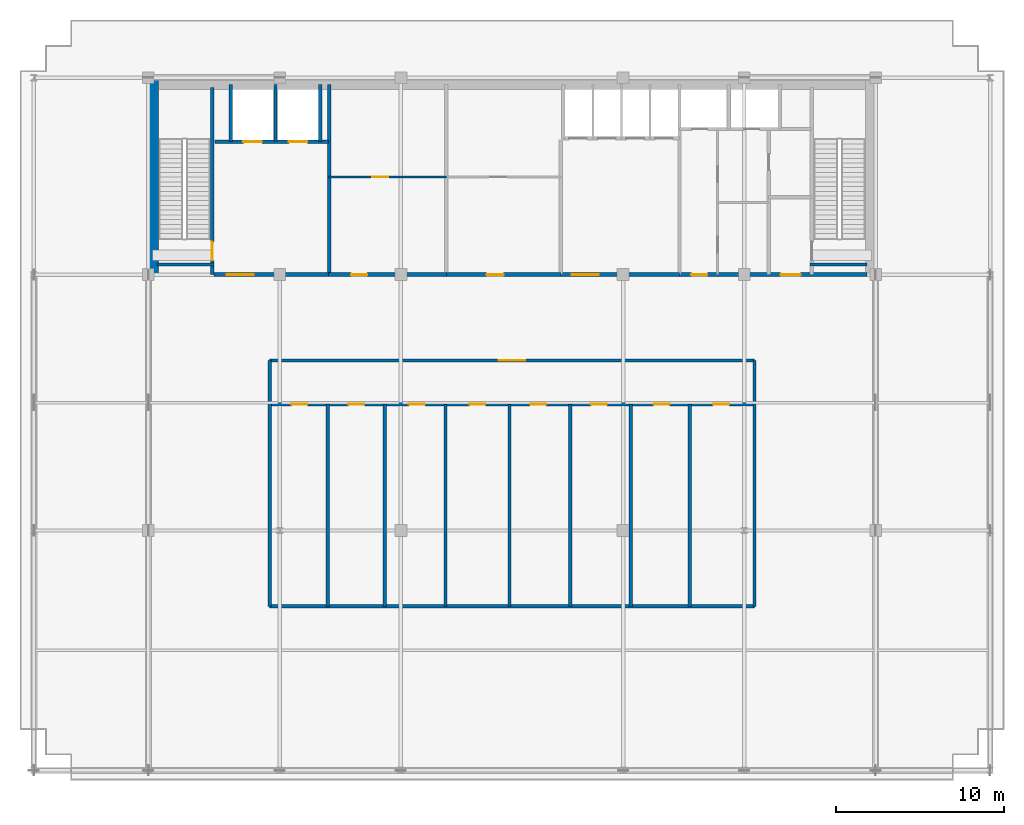
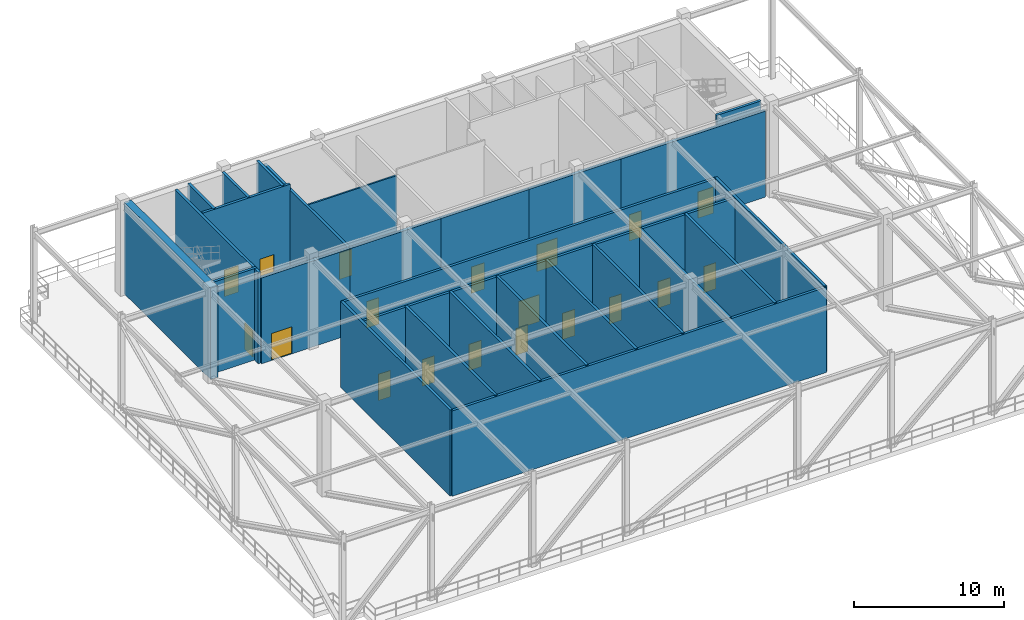
# One storey, part 10 of 15: 27 walls, 19 doors, 19 openings.
"""IFC4 building model written with IfcOpenShell, lengths in metres."""

import ifcopenshell
import ifcopenshell.guid

model = None  # the IFC model being written
_history = None  # IfcOwnerHistory: only IFC2X3 demands one
_inside = {}  # id of a spatial element -> (the spatial element, [elements in it])
_under = {}  # id of a project, library or spatial element -> (it, [spatial elements below it])
_declared = {}  # id of a project -> (the project, [libraries it declares])
_typed = {}  # id of a type object -> (the type object, [elements of that type])
_made_of = {}  # id of a material, layer set ... -> (it, [elements and type objects made of it])


def new_model(schema):
    """Start an empty IFC model of exactly this schema.

    Asked for "IFC4X3", IfcOpenShell would pick the latest addendum, in which some entities
    have other attributes; the version numbers below select the first issue.
    IFC2X3 requires an IfcOwnerHistory on every rooted entity: one is made here for all.
    """
    global model, _history
    if schema == "IFC4X3":
        model = ifcopenshell.file(schema_version=(4, 3, 0, 0))
    else:
        model = ifcopenshell.file(schema=schema)
    _inside.clear()
    _under.clear()
    _declared.clear()
    _typed.clear()
    _made_of.clear()
    _history = None
    if model.schema == "IFC2X3":
        org = make("IfcOrganization", Name="unknown")
        user = make(
            "IfcPersonAndOrganization",
            ThePerson=make("IfcPerson", FamilyName="unknown"),
            TheOrganization=org,
        )
        app = make(
            "IfcApplication",
            ApplicationDeveloper=org,
            Version="unknown",
            ApplicationFullName="unknown",
            ApplicationIdentifier="unknown",
        )
        _history = make(
            "IfcOwnerHistory",
            OwningUser=user,
            OwningApplication=app,
            ChangeAction="ADDED",
            CreationDate=0,
        )
    return model


def make(cls, **values):
    """One entity of the class cls with the attributes given. An attribute that is None is left unset."""
    return model.create_entity(
        cls, **{name: value for name, value in values.items() if value is not None}
    )


def rooted(cls, **values):
    """An entity with a GlobalId (a new one), such as an element, a storey or a relation."""
    return make(cls, GlobalId=ifcopenshell.guid.new(), OwnerHistory=_history, **values)


def si_unit(unit_type, name, prefix=None):
    """IfcSIUnit, for example si_unit("LENGTHUNIT", "METRE", prefix="MILLI")."""
    return make("IfcSIUnit", UnitType=unit_type, Prefix=prefix, Name=name)


def assignment(units):
    """IfcUnitAssignment: the units of a project."""
    return None if units is None else make("IfcUnitAssignment", Units=units)


def point(xyz):
    """IfcCartesianPoint."""
    return None if xyz is None else make("IfcCartesianPoint", Coordinates=xyz)


def direction(xyz):
    """IfcDirection."""
    return None if xyz is None else make("IfcDirection", DirectionRatios=xyz)


def frame(location, z_axis=None, x_axis=None):
    """IfcAxis2Placement3D, a coordinate frame: its origin and axes. An axis left out is left unset."""
    return make(
        "IfcAxis2Placement3D",
        Location=point(location),
        Axis=direction(z_axis),
        RefDirection=direction(x_axis),
    )


def frame_2d(location, x_axis=None):
    """IfcAxis2Placement2D, a coordinate frame in the plane: its origin and x axis."""
    return make(
        "IfcAxis2Placement2D", Location=point(location), RefDirection=direction(x_axis)
    )


def origin():
    """The frame at (0, 0, 0) with its axes left unset."""
    return frame((0.0, 0.0, 0.0))


def place(relative_to, where):
    """IfcLocalPlacement: puts the frame where relative to a parent placement (None: the world)."""
    return make(
        "IfcLocalPlacement", PlacementRelTo=relative_to, RelativePlacement=where
    )


def context(
    kind, dimensions, precision=None, world=None, true_north=None, identifier=None
):
    """IfcGeometricRepresentationContext, for example the 3D "Model" context."""
    return make(
        "IfcGeometricRepresentationContext",
        ContextIdentifier=identifier,
        ContextType=kind,
        CoordinateSpaceDimension=dimensions,
        Precision=precision,
        WorldCoordinateSystem=world,
        TrueNorth=true_north,
    )


def subcontext(parent, identifier, kind, view, scale=None):
    """IfcGeometricRepresentationSubContext, for example "Body" below "Model"."""
    return make(
        "IfcGeometricRepresentationSubContext",
        ContextIdentifier=identifier,
        ContextType=kind,
        ParentContext=parent,
        TargetScale=scale,
        TargetView=view,
    )


def project(units=None, contexts=None):
    """IfcProject with its units and contexts."""
    return rooted(
        "IfcProject",
        Name="project",
        RepresentationContexts=contexts,
        UnitsInContext=assignment(units),
    )


def spatial(cls, under=None, at=None, **own):
    """A site, building, storey or space (cls), placed at a placement, below another one or the project."""
    s = rooted(cls, ObjectPlacement=at, **own)
    if under is not None:
        _under.setdefault(under.id(), (under, []))[1].append(s)
    return s


def profile(cls, at=None, kind="AREA", **sizes):
    """A parametric profile (cls). Its sizes go by their IFC names, for example OverallWidth=200.0."""
    return make(cls, ProfileType=kind, Position=at, **sizes)


def rectangle(**sizes):
    """IfcRectangleProfileDef."""
    return profile("IfcRectangleProfileDef", **sizes)


def extrude(swept, where, along, depth):
    """IfcExtrudedAreaSolid: the profile swept, set in the frame where, extruded along a direction by depth."""
    return make(
        "IfcExtrudedAreaSolid",
        SweptArea=swept,
        Position=where,
        ExtrudedDirection=direction(along),
        Depth=depth,
    )


def shape(context_of_items, identifier, shape_type, items):
    """IfcShapeRepresentation: the items that make up one representation, for example the "Body"."""
    return make(
        "IfcShapeRepresentation",
        ContextOfItems=context_of_items,
        RepresentationIdentifier=identifier,
        RepresentationType=shape_type,
        Items=items,
    )


def source(mapping_origin, context_of_items, identifier, shape_type, items):
    """IfcRepresentationMap: a shape defined once, which mapped items show again and again."""
    return make(
        "IfcRepresentationMap",
        MappingOrigin=mapping_origin,
        MappedRepresentation=shape(context_of_items, identifier, shape_type, items),
    )


def transform(
    local_origin,
    x_axis=None,
    y_axis=None,
    z_axis=None,
    scale=None,
    scale2=None,
    scale3=None,
    uniform=True,
):
    """IfcCartesianTransformationOperator3D, or its non-uniform kind. x_axis, y_axis, z_axis: its Axis1, 2, 3."""
    if uniform:
        return make(
            "IfcCartesianTransformationOperator3D",
            Axis1=direction(x_axis),
            Axis2=direction(y_axis),
            LocalOrigin=point(local_origin),
            Scale=scale,
            Axis3=direction(z_axis),
        )
    return make(
        "IfcCartesianTransformationOperator3DnonUniform",
        Axis1=direction(x_axis),
        Axis2=direction(y_axis),
        LocalOrigin=point(local_origin),
        Scale=scale,
        Axis3=direction(z_axis),
        Scale2=scale2,
        Scale3=scale3,
    )


def mapped(mapping_source, mapping_target):
    """IfcMappedItem: shows the shape of a source again, moved by a transform."""
    return make(
        "IfcMappedItem", MappingSource=mapping_source, MappingTarget=mapping_target
    )


def material(Name=None, Category=None):
    """IfcMaterial."""
    return make("IfcMaterial", Name=Name, Category=Category)


def layer(
    of_material, thickness, ventilated=None, Name=None, Category=None, Priority=None
):
    """IfcMaterialLayer: one layer of a wall or slab, of a material (None: an air gap)."""
    return make(
        "IfcMaterialLayer",
        Material=of_material,
        LayerThickness=thickness,
        IsVentilated=ventilated,
        Name=Name,
        Category=Category,
        Priority=Priority,
    )


def layer_set(layers, Name=None):
    """IfcMaterialLayerSet."""
    return make("IfcMaterialLayerSet", MaterialLayers=layers, LayerSetName=Name)


def made_of(thing, what):
    """Note that an element or type object is made of a material, layer set ...; save() writes the relation."""
    if what is not None:
        _made_of.setdefault(what.id(), (what, []))[1].append(thing)
    return thing


def type_object(cls, material=None, **own):
    """A type object (cls), such as IfcWallType, which elements share."""
    return made_of(rooted(cls, **own), material)


def element(
    cls,
    number,
    at=None,
    inside=None,
    cuts=None,
    type_object=None,
    material=None,
    context=None,
    identifier="Body",
    shape_type=None,
    held_by="IfcProductDefinitionShape",
    body=None,
    shapes=None,
    **own,
):
    """One element of the class cls, such as IfcWall. Its Tag is "e" and its number.

    at: its placement. inside: the storey or other place that contains it. cuts: it is an
    opening in that element (IfcRelVoidsElement). A single representation is given by context,
    identifier, shape_type and body (its items); several are given by shapes. held_by: the class
    of the entity that holds the representations. save() writes the other relations.
    """
    e = rooted(cls, Tag="e%d" % number, ObjectPlacement=at, **own)
    if body is not None:
        shapes = [shape(context, identifier, shape_type, body)]
    if shapes is not None:
        e.Representation = make(held_by, Representations=shapes)
    if inside is not None:
        _inside.setdefault(inside.id(), (inside, []))[1].append(e)
    if cuts is not None:
        rooted(
            "IfcRelVoidsElement", RelatingBuildingElement=cuts, RelatedOpeningElement=e
        )
    if type_object is not None:
        _typed.setdefault(type_object.id(), (type_object, []))[1].append(e)
    return made_of(e, material)


def fill(opening, filler):
    """IfcRelFillsElement: the door or window that sits in an opening."""
    return rooted(
        "IfcRelFillsElement",
        RelatingOpeningElement=opening,
        RelatedBuildingElement=filler,
    )


def aggregate(whole, parts):
    """IfcRelAggregates: a whole, such as a stair, and the parts it consists of."""
    return rooted("IfcRelAggregates", RelatingObject=whole, RelatedObjects=parts)


def save(model, path):
    """Write the relations noted so far, then the file.

    IfcRelAggregates (storeys below a building ...), IfcRelContainedInSpatialStructure (elements
    in a storey), IfcRelDefinesByType, IfcRelAssociatesMaterial and IfcRelDeclares: one each for
    every whole, place, type object, material and project.
    """
    for whole, parts in _under.values():
        aggregate(whole, parts)
    for where, things in _inside.values():
        rooted(
            "IfcRelContainedInSpatialStructure",
            RelatedElements=things,
            RelatingStructure=where,
        )
    for kind, things in _typed.values():
        rooted("IfcRelDefinesByType", RelatedObjects=things, RelatingType=kind)
    for what, things in _made_of.values():
        rooted("IfcRelAssociatesMaterial", RelatedObjects=things, RelatingMaterial=what)
    for by, libraries in _declared.values():
        rooted("IfcRelDeclares", RelatingContext=by, RelatedDefinitions=libraries)
    model.write(path)


model = new_model("IFC4")

# Units and contexts
model_context = context("Model", 3, precision=1e-05, world=origin(), true_north=direction((0.0, 1.0)))
body_context = subcontext(model_context, "Body", "Model", "MODEL_VIEW")
ifc_project = project(units=[si_unit("LENGTHUNIT", "METRE"), si_unit("AREAUNIT", "SQUARE_METRE"), si_unit("VOLUMEUNIT", "CUBIC_METRE"), si_unit("PLANEANGLEUNIT", "RADIAN"), si_unit("MASSUNIT", "GRAM", prefix="KILO")], contexts=[model_context])

# Site, building, storey
site_placement = place(None, origin())
site = spatial("IfcSite", under=ifc_project, at=site_placement, CompositionType="ELEMENT")
building_placement = place(site_placement, origin())
building = spatial("IfcBuilding", under=site, at=building_placement, Name="Trelvane Seafront Commons", CompositionType="ELEMENT")
storey_placement = place(building_placement, frame((0.0, 0.0, 240.89990234375)))
storey = spatial("IfcBuildingStorey", under=building, at=storey_placement, Name="L63", CompositionType="ELEMENT", Elevation=240.89990234375)

# Wall, opening, door
ifc_material_1 = material(Name="Concrete C40/50", Category="concrete")
ifc_layer_1 = layer(ifc_material_1, 0.199951171875, Name="ARCH-WALL-FIRE200")
ifc_layer_set_1 = layer_set([ifc_layer_1], Name="Concrete C40/50")
wall_type_1 = type_object("IfcWallType", Name="ARCH-WALL-FIRE200", PredefinedType="PARTITIONING", material=ifc_layer_set_1)
wall_1_placement = place(storey_placement, frame((22.800048828125, 28.300048828125, 0.0), z_axis=(0.0, 0.0, 1.0), x_axis=(1.0, 0.0, 0.0)))
wall_1 = element("IfcWall", 1, at=wall_1_placement, inside=storey, type_object=wall_type_1, Name="W-L63-MEP-N-035", PredefinedType="PARTITIONING", context=body_context, shape_type="SweptSolid", body=[
    extrude(rectangle(XDim=28.800048828125, YDim=0.199951171875, at=frame_2d((14.39990234375, 0.0))), origin(), (0.0, 0.0, 1.0), 6.940185546875),
])
opening_1_placement = place(wall_1_placement, frame((13.60009765625, 0.0, 0.0)))
opening_1 = element("IfcOpeningElement", 2, at=opening_1_placement, cuts=wall_1, Name="Opening FD-L63-22", PredefinedType="OPENING", context=body_context, shape_type="SweptSolid", body=[
    extrude(rectangle(XDim=1.60009765625, YDim=2.199951171875, at=frame_2d((0.800048828125, 1.10009765625))), frame((0.0, 0.10986328125, 0.0), z_axis=(0.0, -1.0, 0.0), x_axis=(1.0, 0.0, 0.0)), (0.0, 0.0, 1.0), 0.219970703125),
])
ifc_material_2 = material(Name="Powder-coated aluminium frame", Category="aluminium")
door_type_1 = type_object("IfcDoorType", Name="ARCH-DR-FD60-1600", OperationType="DOUBLE_DOOR_SINGLE_SWING", PredefinedType="DOOR", material=ifc_material_2)
shared_shape_1 = source(origin(), body_context, "Body", "SweptSolid", [
    extrude(rectangle(XDim=1.60009765625, YDim=2.199951171875, at=frame_2d((0.800048828125, 1.10009765625))), frame((0.0, 0.02490234375, 0.0), z_axis=(0.0, -1.0, 0.0), x_axis=(1.0, 0.0, 0.0)), (0.0, 0.0, 1.0), 0.050048828125),
])
door_1_placement = place(opening_1_placement, origin())
door_1 = element("IfcDoor", 3, at=door_1_placement, inside=storey, type_object=door_type_1, Name="L63 Plant Corridor Entrance Door", OperationType="DOUBLE_DOOR_SINGLE_SWING", OverallHeight=2.199951171875, OverallWidth=1.60009765625, PredefinedType="DOOR", context=body_context, shape_type="MappedRepresentation", body=[
    mapped(shared_shape_1, transform((0.0, 0.0, 0.0), x_axis=(1.0, 0.0, 0.0), y_axis=(0.0, 1.0, 0.0), z_axis=(0.0, 0.0, 1.0), scale=1.0)),
])
fill(opening_1, door_1)

# Walls
wall_2_placement = place(storey_placement, frame((22.800048828125, 13.699951171875, 0.0), z_axis=(0.0, 0.0, 1.0), x_axis=(1.0, 0.0, 0.0)))
element("IfcWall", 4, at=wall_2_placement, inside=storey, type_object=wall_type_1, Name="W-L63-MEP-S-036", PredefinedType="PARTITIONING", context=body_context, shape_type="SweptSolid", body=[
    extrude(rectangle(XDim=28.800048828125, YDim=0.199951171875, at=frame_2d((14.39990234375, 0.0))), origin(), (0.0, 0.0, 1.0), 6.940185546875),
])
for number, where, z_axis, x_axis, name in (
    (5, (22.800048828125, 13.699951171875, 0.0), (0.0, 0.0, 1.0), (0.0, 1.0, 0.0), "W-L63-MEP-W-037"),
    (6, (51.60009765625, 13.699951171875, 0.0), (0.0, 0.0, 1.0), (0.0, 1.0, 0.0), "W-L63-MEP-E-038"),
):
    element("IfcWall", number, at=place(storey_placement, frame(where, z_axis=z_axis, x_axis=x_axis)), inside=storey, type_object=wall_type_1, Name=name, PredefinedType="PARTITIONING", context=body_context, shape_type="SweptSolid", body=[
        extrude(rectangle(XDim=14.60009765625, YDim=0.199951171875, at=frame_2d((7.300048828125, 0.0))), origin(), (0.0, 0.0, 1.0), 6.989990234375),
    ])

# Wall, openings, doors
wall_3_placement = place(storey_placement, frame((22.800048828125, 25.699951171875, 0.0), z_axis=(0.0, 0.0, 1.0), x_axis=(1.0, 0.0, 0.0)))
wall_3 = element("IfcWall", 7, at=wall_3_placement, inside=storey, type_object=wall_type_1, Name="W-L63-MEP-CORR-S-039", PredefinedType="PARTITIONING", context=body_context, shape_type="SweptSolid", body=[
    extrude(rectangle(XDim=28.800048828125, YDim=0.199951171875, at=frame_2d((14.39990234375, 0.0))), origin(), (0.0, 0.0, 1.0), 6.940185546875),
])
opening_2_placement = place(wall_3_placement, frame((1.300048828125, 0.0, 0.0)))
opening_2 = element("IfcOpeningElement", 8, at=opening_2_placement, cuts=wall_3, Name="Opening FD-L63-23", PredefinedType="OPENING", context=body_context, shape_type="SweptSolid", body=[
    extrude(rectangle(XDim=0.949951171875, YDim=2.14990234375, at=frame_2d((0.47509765625, 1.074951171875))), frame((0.0, 0.10986328125, 0.0), z_axis=(0.0, -1.0, 0.0), x_axis=(1.0, 0.0, 0.0)), (0.0, 0.0, 1.0), 0.219970703125),
])
opening_3_placement = place(wall_3_placement, frame((4.675048828125, 0.0, 0.0)))
opening_3 = element("IfcOpeningElement", 9, at=opening_3_placement, cuts=wall_3, Name="Opening FD-L63-24", PredefinedType="OPENING", context=body_context, shape_type="SweptSolid", body=[
    extrude(rectangle(XDim=0.949951171875, YDim=2.14990234375, at=frame_2d((0.47509765625, 1.074951171875))), frame((0.0, 0.10986328125, 0.0), z_axis=(0.0, -1.0, 0.0), x_axis=(1.0, 0.0, 0.0)), (0.0, 0.0, 1.0), 0.219970703125),
])
opening_4_placement = place(wall_3_placement, frame((8.27197265625, 0.0, 0.0)))
opening_4 = element("IfcOpeningElement", 10, at=opening_4_placement, cuts=wall_3, Name="Opening FD-L63-25", PredefinedType="OPENING", context=body_context, shape_type="SweptSolid", body=[
    extrude(rectangle(XDim=0.949951171875, YDim=2.14990234375, at=frame_2d((0.47509765625, 1.074951171875))), frame((0.0, 0.10986328125, 0.0), z_axis=(0.0, -1.0, 0.0), x_axis=(1.0, 0.0, 0.0)), (0.0, 0.0, 1.0), 0.219970703125),
])
opening_5_placement = place(wall_3_placement, frame((11.875, 0.0, 0.0)))
opening_5 = element("IfcOpeningElement", 11, at=opening_5_placement, cuts=wall_3, Name="Opening FD-L63-26", PredefinedType="OPENING", context=body_context, shape_type="SweptSolid", body=[
    extrude(rectangle(XDim=0.949951171875, YDim=2.14990234375, at=frame_2d((0.47509765625, 1.074951171875))), frame((0.0, 0.10986328125, 0.0), z_axis=(0.0, -1.0, 0.0), x_axis=(1.0, 0.0, 0.0)), (0.0, 0.0, 1.0), 0.219970703125),
])
opening_6_placement = place(wall_3_placement, frame((15.47802734375, 0.0, 0.0)))
opening_6 = element("IfcOpeningElement", 12, at=opening_6_placement, cuts=wall_3, Name="Opening FD-L63-27", PredefinedType="OPENING", context=body_context, shape_type="SweptSolid", body=[
    extrude(rectangle(XDim=0.949951171875, YDim=2.14990234375, at=frame_2d((0.47509765625, 1.074951171875))), frame((0.0, 0.10986328125, 0.0), z_axis=(0.0, -1.0, 0.0), x_axis=(1.0, 0.0, 0.0)), (0.0, 0.0, 1.0), 0.219970703125),
])
opening_7_placement = place(wall_3_placement, frame((19.077880859375, 0.0, 0.0)))
opening_7 = element("IfcOpeningElement", 13, at=opening_7_placement, cuts=wall_3, Name="Opening FD-L63-28", PredefinedType="OPENING", context=body_context, shape_type="SweptSolid", body=[
    extrude(rectangle(XDim=0.949951171875, YDim=2.14990234375, at=frame_2d((0.47509765625, 1.074951171875))), frame((0.0, 0.10986328125, 0.0), z_axis=(0.0, -1.0, 0.0), x_axis=(1.0, 0.0, 0.0)), (0.0, 0.0, 1.0), 0.219970703125),
])
opening_8_placement = place(wall_3_placement, frame((22.81689453125, 0.0, 0.0)))
opening_8 = element("IfcOpeningElement", 14, at=opening_8_placement, cuts=wall_3, Name="Opening FD-L63-29", PredefinedType="OPENING", context=body_context, shape_type="SweptSolid", body=[
    extrude(rectangle(XDim=0.949951171875, YDim=2.14990234375, at=frame_2d((0.47509765625, 1.074951171875))), frame((0.0, 0.10986328125, 0.0), z_axis=(0.0, -1.0, 0.0), x_axis=(1.0, 0.0, 0.0)), (0.0, 0.0, 1.0), 0.219970703125),
])
opening_9_placement = place(wall_3_placement, frame((26.35009765625, 0.0, 0.0)))
opening_9 = element("IfcOpeningElement", 15, at=opening_9_placement, cuts=wall_3, Name="Opening FD-L63-30", PredefinedType="OPENING", context=body_context, shape_type="SweptSolid", body=[
    extrude(rectangle(XDim=0.949951171875, YDim=2.14990234375, at=frame_2d((0.47509765625, 1.074951171875))), frame((0.0, 0.10986328125, 0.0), z_axis=(0.0, -1.0, 0.0), x_axis=(1.0, 0.0, 0.0)), (0.0, 0.0, 1.0), 0.219970703125),
])
door_type_2 = type_object("IfcDoorType", Name="ARCH-DR-FD60-950", OperationType="NOTDEFINED", PredefinedType="DOOR", material=ifc_material_2)
shared_shape_2 = source(origin(), body_context, "Body", "SweptSolid", [
    extrude(rectangle(XDim=0.949951171875, YDim=2.14990234375, at=frame_2d((0.47509765625, 1.074951171875))), frame((0.0, 0.02490234375, 0.0), z_axis=(0.0, -1.0, 0.0), x_axis=(1.0, 0.0, 0.0)), (0.0, 0.0, 1.0), 0.050048828125),
])
door_2_placement = place(opening_2_placement, origin())
door_2 = element("IfcDoor", 16, at=door_2_placement, inside=storey, type_object=door_type_2, Name="L63 Door 23", OperationType="SINGLE_SWING_LEFT", OverallHeight=2.14990234375, OverallWidth=0.949951171875, PredefinedType="DOOR", context=body_context, shape_type="MappedRepresentation", body=[
    mapped(shared_shape_2, transform((0.0, 0.0, 0.0), x_axis=(1.0, 0.0, 0.0), y_axis=(0.0, 1.0, 0.0), z_axis=(0.0, 0.0, 1.0), scale=1.0)),
])
fill(opening_2, door_2)
door_3_placement = place(opening_3_placement, origin())
door_3 = element("IfcDoor", 17, at=door_3_placement, inside=storey, type_object=door_type_2, Name="L63 Door 24", OperationType="SINGLE_SWING_RIGHT", OverallHeight=2.14990234375, OverallWidth=0.949951171875, PredefinedType="DOOR", context=body_context, shape_type="MappedRepresentation", body=[
    mapped(shared_shape_2, transform((0.0, 0.0, 0.0), x_axis=(1.0, 0.0, 0.0), y_axis=(0.0, 1.0, 0.0), z_axis=(0.0, 0.0, 1.0), scale=1.0)),
])
fill(opening_3, door_3)
door_4_placement = place(opening_4_placement, origin())
door_4 = element("IfcDoor", 18, at=door_4_placement, inside=storey, type_object=door_type_2, Name="L63 Door 25", OperationType="SINGLE_SWING_LEFT", OverallHeight=2.14990234375, OverallWidth=0.949951171875, PredefinedType="DOOR", context=body_context, shape_type="MappedRepresentation", body=[
    mapped(shared_shape_2, transform((0.0, 0.0, 0.0), x_axis=(1.0, 0.0, 0.0), y_axis=(0.0, 1.0, 0.0), z_axis=(0.0, 0.0, 1.0), scale=1.0)),
])
fill(opening_4, door_4)
door_5_placement = place(opening_5_placement, origin())
door_5 = element("IfcDoor", 19, at=door_5_placement, inside=storey, type_object=door_type_2, Name="L63 Door 26", OperationType="SINGLE_SWING_RIGHT", OverallHeight=2.14990234375, OverallWidth=0.949951171875, PredefinedType="DOOR", context=body_context, shape_type="MappedRepresentation", body=[
    mapped(shared_shape_2, transform((0.0, 0.0, 0.0), x_axis=(1.0, 0.0, 0.0), y_axis=(0.0, 1.0, 0.0), z_axis=(0.0, 0.0, 1.0), scale=1.0)),
])
fill(opening_5, door_5)
door_6_placement = place(opening_6_placement, origin())
door_6 = element("IfcDoor", 20, at=door_6_placement, inside=storey, type_object=door_type_2, Name="L63 Door 27", OperationType="SINGLE_SWING_LEFT", OverallHeight=2.14990234375, OverallWidth=0.949951171875, PredefinedType="DOOR", context=body_context, shape_type="MappedRepresentation", body=[
    mapped(shared_shape_2, transform((0.0, 0.0, 0.0), x_axis=(1.0, 0.0, 0.0), y_axis=(0.0, 1.0, 0.0), z_axis=(0.0, 0.0, 1.0), scale=1.0)),
])
fill(opening_6, door_6)
door_7_placement = place(opening_7_placement, origin())
door_7 = element("IfcDoor", 21, at=door_7_placement, inside=storey, type_object=door_type_2, Name="L63 Door 28", OperationType="SINGLE_SWING_RIGHT", OverallHeight=2.14990234375, OverallWidth=0.949951171875, PredefinedType="DOOR", context=body_context, shape_type="MappedRepresentation", body=[
    mapped(shared_shape_2, transform((0.0, 0.0, 0.0), x_axis=(1.0, 0.0, 0.0), y_axis=(0.0, 1.0, 0.0), z_axis=(0.0, 0.0, 1.0), scale=1.0)),
])
fill(opening_7, door_7)
door_8_placement = place(opening_8_placement, origin())
door_8 = element("IfcDoor", 22, at=door_8_placement, inside=storey, type_object=door_type_2, Name="L63 Door 29", OperationType="SINGLE_SWING_LEFT", OverallHeight=2.14990234375, OverallWidth=0.949951171875, PredefinedType="DOOR", context=body_context, shape_type="MappedRepresentation", body=[
    mapped(shared_shape_2, transform((0.0, 0.0, 0.0), x_axis=(1.0, 0.0, 0.0), y_axis=(0.0, 1.0, 0.0), z_axis=(0.0, 0.0, 1.0), scale=1.0)),
])
fill(opening_8, door_8)
door_9_placement = place(opening_9_placement, origin())
door_9 = element("IfcDoor", 23, at=door_9_placement, inside=storey, type_object=door_type_2, Name="L63 Door 30", OperationType="SINGLE_SWING_RIGHT", OverallHeight=2.14990234375, OverallWidth=0.949951171875, PredefinedType="DOOR", context=body_context, shape_type="MappedRepresentation", body=[
    mapped(shared_shape_2, transform((0.0, 0.0, 0.0), x_axis=(1.0, 0.0, 0.0), y_axis=(0.0, 1.0, 0.0), z_axis=(0.0, 0.0, 1.0), scale=1.0)),
])
fill(opening_9, door_9)

# Walls
for number, where, z_axis, x_axis, name in (
    (24, (26.25, 13.699951171875, 0.0), (0.0, 0.0, 1.0), (0.0, 1.0, 0.0), "W-L63-MEP-DV-1-040"),
    (25, (29.64990234375, 13.699951171875, 0.0), (0.0, 0.0, 1.0), (0.0, 1.0, 0.0), "W-L63-MEP-DV-2-041"),
    (26, (33.25, 13.699951171875, 0.0), (0.0, 0.0, 1.0), (0.0, 1.0, 0.0), "W-L63-MEP-DV-3-042"),
    (27, (37.050048828125, 13.699951171875, 0.0), (0.0, 0.0, 1.0), (0.0, 1.0, 0.0), "W-L63-MEP-DV-4-043"),
    (28, (40.64990234375, 13.699951171875, 0.0), (0.0, 0.0, 1.0), (0.0, 1.0, 0.0), "W-L63-MEP-DV-5-044"),
    (29, (44.25, 13.699951171875, 0.0), (0.0, 0.0, 1.0), (0.0, 1.0, 0.0), "W-L63-MEP-DV-6-045"),
    (30, (47.75, 13.699951171875, 0.0), (0.0, 0.0, 1.0), (0.0, 1.0, 0.0), "W-L63-MEP-DV-7-046"),
):
    element("IfcWall", number, at=place(storey_placement, frame(where, z_axis=z_axis, x_axis=x_axis)), inside=storey, type_object=wall_type_1, Name=name, PredefinedType="PARTITIONING", context=body_context, shape_type="SweptSolid", body=[
        extrude(rectangle(XDim=12.0, YDim=0.199951171875, at=frame_2d((6.0, 0.0))), origin(), (0.0, 0.0, 1.0), 6.989990234375),
    ])

# Wall, opening, door
ifc_layer_2 = layer(ifc_material_1, 0.25, Name="ARCH-WALL-FIRE250")
ifc_layer_set_2 = layer_set([ifc_layer_2], Name="Concrete C40/50")
wall_type_2 = type_object("IfcWallType", Name="ARCH-WALL-FIRE250", PredefinedType="PARTITIONING", material=ifc_layer_set_2)
wall_4_placement = place(storey_placement, frame((19.5, 33.39990234375, 0.0), z_axis=(0.0, 0.0, 1.0), x_axis=(1.0, 0.0, 0.0)))
wall_4 = element("IfcWall", 31, at=wall_4_placement, inside=storey, type_object=wall_type_2, Name="W-L63-CS-FFL-013", PredefinedType="PARTITIONING", context=body_context, shape_type="SweptSolid", body=[
    extrude(rectangle(XDim=6.800048828125, YDim=0.25, at=frame_2d((3.39990234375, 0.0))), origin(), (0.0, 0.0, 1.0), 6.989990234375),
])
opening_10_placement = place(wall_4_placement, frame((0.75, 0.0, 0.0)))
opening_10 = element("IfcOpeningElement", 32, at=opening_10_placement, cuts=wall_4, Name="Opening FD-L63-05", PredefinedType="OPENING", context=body_context, shape_type="SweptSolid", body=[
    extrude(rectangle(XDim=1.60009765625, YDim=2.199951171875, at=frame_2d((0.800048828125, 1.10009765625))), frame((0.0, 0.135009765625, 0.0), z_axis=(0.0, -1.0, 0.0), x_axis=(1.0, 0.0, 0.0)), (0.0, 0.0, 1.0), 0.27001953125),
])
door_10_placement = place(opening_10_placement, origin())
door_10 = element("IfcDoor", 33, at=door_10_placement, inside=storey, type_object=door_type_1, Name="L63 Firefighting Lift Lobby Double Fire Door", OperationType="DOUBLE_DOOR_SINGLE_SWING", OverallHeight=2.199951171875, OverallWidth=1.60009765625, PredefinedType="DOOR", context=body_context, shape_type="MappedRepresentation", body=[
    mapped(shared_shape_1, transform((0.0, 0.0, 0.0), x_axis=(1.0, 0.0, 0.0), y_axis=(0.0, 1.0, 0.0), z_axis=(0.0, 0.0, 1.0), scale=1.0)),
])
fill(opening_10, door_10)

wall_5_placement = place(storey_placement, frame((26.300048828125, 33.39990234375, 0.0), z_axis=(0.0, 0.0, 1.0), x_axis=(1.0, 0.0, 0.0)))
wall_5 = element("IfcWall", 34, at=wall_5_placement, inside=storey, type_object=wall_type_2, Name="W-L63-CS-FPL-024", PredefinedType="PARTITIONING", context=body_context, shape_type="SweptSolid", body=[
    extrude(rectangle(XDim=7.0, YDim=0.25, at=frame_2d((3.5, 0.0))), origin(), (0.0, 0.0, 1.0), 6.989990234375),
])
opening_11_placement = place(wall_5_placement, frame((1.35009765625, 0.0, 0.0)))
opening_11 = element("IfcOpeningElement", 35, at=opening_11_placement, cuts=wall_5, Name="Opening D-L63-12", PredefinedType="OPENING", context=body_context, shape_type="SweptSolid", body=[
    extrude(rectangle(XDim=0.949951171875, YDim=2.14990234375, at=frame_2d((0.47509765625, 1.074951171875))), frame((0.0, 0.135009765625, 0.0), z_axis=(0.0, -1.0, 0.0), x_axis=(1.0, 0.0, 0.0)), (0.0, 0.0, 1.0), 0.27001953125),
])
ifc_material_3 = material(Name="Acoustic timber door leaf", Category="wood")
door_type_3 = type_object("IfcDoorType", Name="ARCH-DR-INT950", OperationType="NOTDEFINED", PredefinedType="DOOR", material=ifc_material_3)
door_11_placement = place(opening_11_placement, origin())
door_11 = element("IfcDoor", 36, at=door_11_placement, inside=storey, type_object=door_type_3, Name="L63 Floor Pantry Entrance Door", OperationType="SINGLE_SWING_RIGHT", OverallHeight=2.14990234375, OverallWidth=0.949951171875, PredefinedType="DOOR", context=body_context, shape_type="MappedRepresentation", body=[
    mapped(shared_shape_2, transform((0.0, 0.0, 0.0), x_axis=(1.0, 0.0, 0.0), y_axis=(0.0, 1.0, 0.0), z_axis=(0.0, 0.0, 1.0), scale=1.0)),
])
fill(opening_11, door_11)

wall_6_placement = place(storey_placement, frame((33.300048828125, 33.39990234375, 0.0), z_axis=(0.0, 0.0, 1.0), x_axis=(1.0, 0.0, 0.0)))
wall_6 = element("IfcWall", 37, at=wall_6_placement, inside=storey, type_object=wall_type_2, Name="W-L63-CS-FPM-025", PredefinedType="PARTITIONING", context=body_context, shape_type="SweptSolid", body=[
    extrude(rectangle(XDim=6.800048828125, YDim=0.25, at=frame_2d((3.39990234375, 0.0))), origin(), (0.0, 0.0, 1.0), 6.989990234375),
])
opening_12_placement = place(wall_6_placement, frame((2.39990234375, 0.0, 0.0)))
opening_12 = element("IfcOpeningElement", 38, at=opening_12_placement, cuts=wall_6, Name="Opening FD-L63-13", PredefinedType="OPENING", context=body_context, shape_type="SweptSolid", body=[
    extrude(rectangle(XDim=1.0, YDim=2.14990234375, at=frame_2d((0.5, 1.074951171875))), frame((0.0, 0.135009765625, 0.0), z_axis=(0.0, -1.0, 0.0), x_axis=(1.0, 0.0, 0.0)), (0.0, 0.0, 1.0), 0.27001953125),
])
door_type_4 = type_object("IfcDoorType", Name="ARCH-DR-FD60-1000", OperationType="NOTDEFINED", PredefinedType="DOOR", material=ifc_material_2)
shared_shape_3 = source(origin(), body_context, "Body", "SweptSolid", [
    extrude(rectangle(XDim=1.0, YDim=2.14990234375, at=frame_2d((0.5, 1.074951171875))), frame((0.0, 0.02490234375, 0.0), z_axis=(0.0, -1.0, 0.0), x_axis=(1.0, 0.0, 0.0)), (0.0, 0.0, 1.0), 0.050048828125),
])
door_12_placement = place(opening_12_placement, origin())
door_12 = element("IfcDoor", 39, at=door_12_placement, inside=storey, type_object=door_type_4, Name="L63 Trunk Storage Door", OperationType="SINGLE_SWING_LEFT", OverallHeight=2.14990234375, OverallWidth=1.0, PredefinedType="DOOR", context=body_context, shape_type="MappedRepresentation", body=[
    mapped(shared_shape_3, transform((0.0, 0.0, 0.0), x_axis=(1.0, 0.0, 0.0), y_axis=(0.0, 1.0, 0.0), z_axis=(0.0, 0.0, 1.0), scale=1.0)),
])
fill(opening_12, door_12)

wall_7_placement = place(storey_placement, frame((40.10009765625, 33.39990234375, 0.0), z_axis=(0.0, 0.0, 1.0), x_axis=(1.0, 0.0, 0.0)))
wall_7 = element("IfcWall", 40, at=wall_7_placement, inside=storey, type_object=wall_type_2, Name="W-L63-CS-PAX-026", PredefinedType="PARTITIONING", context=body_context, shape_type="SweptSolid", body=[
    extrude(rectangle(XDim=7.0498046875, YDim=0.25, at=frame_2d((3.52490234375, 0.0))), origin(), (0.0, 0.0, 1.0), 6.989990234375),
])
opening_13_placement = place(wall_7_placement, frame((0.64990234375, 0.0, 0.0)))
opening_13 = element("IfcOpeningElement", 41, at=opening_13_placement, cuts=wall_7, Name="Opening FD-L63-14", PredefinedType="OPENING", context=body_context, shape_type="SweptSolid", body=[
    extrude(rectangle(XDim=1.60009765625, YDim=2.199951171875, at=frame_2d((0.800048828125, 1.10009765625))), frame((0.0, 0.135009765625, 0.0), z_axis=(0.0, -1.0, 0.0), x_axis=(1.0, 0.0, 0.0)), (0.0, 0.0, 1.0), 0.27001953125),
])
door_13_placement = place(opening_13_placement, origin())
door_13 = element("IfcDoor", 42, at=door_13_placement, inside=storey, type_object=door_type_1, Name="L63 High-Rise Lift Lobby Double Door", OperationType="DOUBLE_DOOR_SINGLE_SWING", OverallHeight=2.199951171875, OverallWidth=1.60009765625, PredefinedType="DOOR", context=body_context, shape_type="MappedRepresentation", body=[
    mapped(shared_shape_1, transform((0.0, 0.0, 0.0), x_axis=(1.0, 0.0, 0.0), y_axis=(0.0, 1.0, 0.0), z_axis=(0.0, 0.0, 1.0), scale=1.0)),
])
fill(opening_13, door_13)

# Wall, openings, doors
wall_8_placement = place(storey_placement, frame((47.14990234375, 33.39990234375, 0.0), z_axis=(0.0, 0.0, 1.0), x_axis=(1.0, 0.0, 0.0)))
wall_8 = element("IfcWall", 43, at=wall_8_placement, inside=storey, type_object=wall_type_2, Name="W-L63-CS-EAST-034", PredefinedType="PARTITIONING", context=body_context, shape_type="SweptSolid", body=[
    extrude(rectangle(XDim=11.150146484375, YDim=0.25, at=frame_2d((5.5751953125, 0.0))), origin(), (0.0, 0.0, 1.0), 6.989990234375),
])
opening_14_placement = place(wall_8_placement, frame((0.699951171875, 0.0, 0.0)))
opening_14 = element("IfcOpeningElement", 44, at=opening_14_placement, cuts=wall_8, Name="Opening FD-L63-20", PredefinedType="OPENING", context=body_context, shape_type="SweptSolid", body=[
    extrude(rectangle(XDim=0.949951171875, YDim=2.14990234375, at=frame_2d((0.47509765625, 1.074951171875))), frame((0.0, 0.135009765625, 0.0), z_axis=(0.0, -1.0, 0.0), x_axis=(1.0, 0.0, 0.0)), (0.0, 0.0, 1.0), 0.27001953125),
])
opening_15_placement = place(wall_8_placement, frame((6.0, 0.0, 0.0)))
opening_15 = element("IfcOpeningElement", 45, at=opening_15_placement, cuts=wall_8, Name="Opening FD-L63-21", PredefinedType="OPENING", context=body_context, shape_type="SweptSolid", body=[
    extrude(rectangle(XDim=1.199951171875, YDim=2.14990234375, at=frame_2d((0.60009765625, 1.074951171875))), frame((0.0, 0.135009765625, 0.0), z_axis=(0.0, -1.0, 0.0), x_axis=(1.0, 0.0, 0.0)), (0.0, 0.0, 1.0), 0.27001953125),
])
door_14_placement = place(opening_14_placement, origin())
door_14 = element("IfcDoor", 46, at=door_14_placement, inside=storey, type_object=door_type_2, Name="L63 Core Service Lobby Door", OperationType="SINGLE_SWING_RIGHT", OverallHeight=2.14990234375, OverallWidth=0.949951171875, PredefinedType="DOOR", context=body_context, shape_type="MappedRepresentation", body=[
    mapped(shared_shape_2, transform((0.0, 0.0, 0.0), x_axis=(1.0, 0.0, 0.0), y_axis=(0.0, 1.0, 0.0), z_axis=(0.0, 0.0, 1.0), scale=1.0)),
])
fill(opening_14, door_14)
door_type_5 = type_object("IfcDoorType", Name="ARCH-DR-FD60-1200", OperationType="NOTDEFINED", PredefinedType="DOOR", material=ifc_material_2)
shared_shape_4 = source(origin(), body_context, "Body", "SweptSolid", [
    extrude(rectangle(XDim=1.199951171875, YDim=2.14990234375, at=frame_2d((0.60009765625, 1.074951171875))), frame((0.0, 0.02490234375, 0.0), z_axis=(0.0, -1.0, 0.0), x_axis=(1.0, 0.0, 0.0)), (0.0, 0.0, 1.0), 0.050048828125),
])
door_15_placement = place(opening_15_placement, origin())
door_15 = element("IfcDoor", 47, at=door_15_placement, inside=storey, type_object=door_type_5, Name="L63 East Stair Vestibule Fire Door", OperationType="SINGLE_SWING_LEFT", OverallHeight=2.14990234375, OverallWidth=1.199951171875, PredefinedType="DOOR", context=body_context, shape_type="MappedRepresentation", body=[
    mapped(shared_shape_4, transform((0.0, 0.0, 0.0), x_axis=(1.0, 0.0, 0.0), y_axis=(0.0, 1.0, 0.0), z_axis=(0.0, 0.0, 1.0), scale=1.0)),
])
fill(opening_15, door_15)

# Wall, opening, door
ifc_material_4 = material(Name="Gypsum Drywall Acoustic Partition")
ifc_layer_3 = layer(ifc_material_4, 0.1201171875, Name="ARCH-WALL-PART120")
ifc_layer_set_3 = layer_set([ifc_layer_3], Name="Gypsum Drywall Acoustic Partition")
wall_type_3 = type_object("IfcWallType", Name="ARCH-WALL-PART120", PredefinedType="PARTITIONING", material=ifc_layer_set_3)
wall_9_placement = place(storey_placement, frame((26.300048828125, 39.199951171875, 0.0), z_axis=(0.0, 0.0, 1.0), x_axis=(1.0, 0.0, 0.0)))
wall_9 = element("IfcWall", 48, at=wall_9_placement, inside=storey, type_object=wall_type_3, Name="W-L63-FREED-PL-MID-014", PredefinedType="PARTITIONING", context=body_context, shape_type="SweptSolid", body=[
    extrude(rectangle(XDim=7.0, YDim=0.1201171875, at=frame_2d((3.5, 0.0))), origin(), (0.0, 0.0, 1.0), 6.940185546875),
])
opening_16_placement = place(wall_9_placement, frame((2.60009765625, 0.0, 0.0)))
opening_16 = element("IfcOpeningElement", 49, at=opening_16_placement, cuts=wall_9, Name="Opening D-L63-06", PredefinedType="OPENING", context=body_context, shape_type="SweptSolid", body=[
    extrude(rectangle(XDim=0.949951171875, YDim=2.14990234375, at=frame_2d((0.47509765625, 1.074951171875))), frame((0.0, 0.070068359375, 0.0), z_axis=(0.0, -1.0, 0.0), x_axis=(1.0, 0.0, 0.0)), (0.0, 0.0, 1.0), 0.14013671875),
])
door_16_placement = place(opening_16_placement, origin())
door_16 = element("IfcDoor", 50, at=door_16_placement, inside=storey, type_object=door_type_3, Name="L63 Housekeeping Store Door", OperationType="SINGLE_SWING_RIGHT", OverallHeight=2.14990234375, OverallWidth=0.949951171875, PredefinedType="DOOR", context=body_context, shape_type="MappedRepresentation", body=[
    mapped(shared_shape_2, transform((0.0, 0.0, 0.0), x_axis=(1.0, 0.0, 0.0), y_axis=(0.0, 1.0, 0.0), z_axis=(0.0, 0.0, 1.0), scale=1.0)),
])
fill(opening_16, door_16)

# Wall, openings, doors
ifc_layer_4 = layer(ifc_material_1, 0.199951171875, Name="ARCH-WALL-SHAFT200")
ifc_layer_set_4 = layer_set([ifc_layer_4], Name="Concrete C40/50")
wall_type_4 = type_object("IfcWallType", Name="ARCH-WALL-SHAFT200", PredefinedType="SOLIDWALL", material=ifc_layer_set_4)
wall_10_placement = place(storey_placement, frame((19.550048828125, 41.300048828125, 0.0), z_axis=(0.0, 0.0, 1.0), x_axis=(1.0, 0.0, 0.0)))
wall_10 = element("IfcWall", 51, at=wall_10_placement, inside=storey, type_object=wall_type_4, Name="W-L63-FFL-FRONT-008", PredefinedType="SOLIDWALL", context=body_context, shape_type="SweptSolid", body=[
    extrude(rectangle(XDim=6.75, YDim=0.199951171875, at=frame_2d((3.375, 0.0))), origin(), (0.0, 0.0, 1.0), 7.440185546875),
])
opening_17_placement = place(wall_10_placement, frame((1.699951171875, 0.0, 0.0)))
opening_17 = element("IfcOpeningElement", 52, at=opening_17_placement, cuts=wall_10, Name="Opening LD-FF1-L63", PredefinedType="OPENING", context=body_context, shape_type="SweptSolid", body=[
    extrude(rectangle(XDim=1.10009765625, YDim=2.14990234375, at=frame_2d((0.550048828125, 1.074951171875))), frame((0.0, 0.10986328125, 0.0), z_axis=(0.0, -1.0, 0.0), x_axis=(1.0, 0.0, 0.0)), (0.0, 0.0, 1.0), 0.219970703125),
])
opening_18_placement = place(wall_10_placement, frame((4.39990234375, 0.0, 0.0)))
opening_18 = element("IfcOpeningElement", 53, at=opening_18_placement, cuts=wall_10, Name="Opening LD-FF2-L63", PredefinedType="OPENING", context=body_context, shape_type="SweptSolid", body=[
    extrude(rectangle(XDim=1.10009765625, YDim=2.14990234375, at=frame_2d((0.550048828125, 1.074951171875))), frame((0.0, 0.10986328125, 0.0), z_axis=(0.0, -1.0, 0.0), x_axis=(1.0, 0.0, 0.0)), (0.0, 0.0, 1.0), 0.219970703125),
])
ifc_material_5 = material(Name="Stainless steel balustrade", Category="steel")
door_type_6 = type_object("IfcDoorType", Name="ARCH-DR-LD1100", OperationType="DOUBLE_DOOR_SLIDING", PredefinedType="DOOR", material=ifc_material_5)
shared_shape_5 = source(origin(), body_context, "Body", "SweptSolid", [
    extrude(rectangle(XDim=1.10009765625, YDim=2.14990234375, at=frame_2d((0.550048828125, 1.074951171875))), frame((0.0, 0.02490234375, 0.0), z_axis=(0.0, -1.0, 0.0), x_axis=(1.0, 0.0, 0.0)), (0.0, 0.0, 1.0), 0.050048828125),
])
door_17_placement = place(opening_17_placement, origin())
door_17 = element("IfcDoor", 54, at=door_17_placement, inside=storey, type_object=door_type_6, Name="L63 Firefighting Lift FFL-1 Landing Door", OperationType="DOUBLE_DOOR_SLIDING", OverallHeight=2.14990234375, OverallWidth=1.10009765625, PredefinedType="DOOR", context=body_context, shape_type="MappedRepresentation", body=[
    mapped(shared_shape_5, transform((0.0, 0.0, 0.0), x_axis=(1.0, 0.0, 0.0), y_axis=(0.0, 1.0, 0.0), z_axis=(0.0, 0.0, 1.0), scale=1.0)),
])
fill(opening_17, door_17)
door_18_placement = place(opening_18_placement, origin())
door_18 = element("IfcDoor", 55, at=door_18_placement, inside=storey, type_object=door_type_6, Name="L63 Firefighting Lift FFL-2 Landing Door", OperationType="DOUBLE_DOOR_SLIDING", OverallHeight=2.14990234375, OverallWidth=1.10009765625, PredefinedType="DOOR", context=body_context, shape_type="MappedRepresentation", body=[
    mapped(shared_shape_5, transform((0.0, 0.0, 0.0), x_axis=(1.0, 0.0, 0.0), y_axis=(0.0, 1.0, 0.0), z_axis=(0.0, 0.0, 1.0), scale=1.0)),
])
fill(opening_18, door_18)

# Walls
for number, where, z_axis, x_axis, name in (
    (56, (20.5, 41.300048828125, 0.0), (0.0, 0.0, 1.0), (0.0, 1.0, 0.0), "W-L63-FFL-SH-W-009"),
    (57, (23.14990234375, 41.300048828125, 0.0), (0.0, 0.0, 1.0), (0.0, 1.0, 0.0), "W-L63-FFL-DIV-010"),
    (58, (25.800048828125, 41.300048828125, 0.0), (0.0, 0.0, 1.0), (0.0, 1.0, 0.0), "W-L63-FFL-SH-E-011"),
):
    element("IfcWall", number, at=place(storey_placement, frame(where, z_axis=z_axis, x_axis=x_axis)), inside=storey, type_object=wall_type_4, Name=name, PredefinedType="SOLIDWALL", context=body_context, shape_type="SweptSolid", body=[
        extrude(rectangle(XDim=3.39990234375, YDim=0.199951171875, at=frame_2d((1.699951171875, 0.0))), origin(), (0.0, 0.0, 1.0), 7.440185546875),
    ])
wall_11_placement = place(storey_placement, frame((26.35009765625, 33.39990234375, 0.0), z_axis=(0.0, 0.0, 1.0), x_axis=(0.0, 1.0, 0.0)))
element("IfcWall", 59, at=wall_11_placement, inside=storey, type_object=wall_type_4, Name="W-L63-FFL-EAST-012", PredefinedType="SOLIDWALL", context=body_context, shape_type="SweptSolid", body=[
    extrude(rectangle(XDim=11.300048828125, YDim=0.199951171875, at=frame_2d((5.64990234375, 0.0))), origin(), (0.0, 0.0, 1.0), 6.989990234375),
])
ifc_material_6 = material(Name="Concrete C50/60", Category="concrete")
ifc_layer_5 = layer(ifc_material_6, 0.550048828125, Name="STR-WALL-CORE550")
ifc_layer_set_5 = layer_set([ifc_layer_5], Name="Concrete C50/60")
wall_type_5 = type_object("IfcWallType", Name="STR-WALL-CORE550", PredefinedType="SHEAR", material=ifc_layer_set_5)
wall_12_placement = place(storey_placement, frame((15.925048828125, 33.39990234375, 0.0), z_axis=(0.0, 0.0, 1.0), x_axis=(0.0, 1.0, 0.0)))
element("IfcWall", 60, at=wall_12_placement, inside=storey, type_object=wall_type_5, Name="W-L63-CW-END-002", PredefinedType="SHEAR", context=body_context, shape_type="SweptSolid", body=[
    extrude(rectangle(XDim=11.550048828125, YDim=0.550048828125, at=frame_2d((5.77490234375, 0.0))), origin(), (0.0, 0.0, 1.0), 7.440185546875),
])
ifc_layer_6 = layer(ifc_material_6, 0.199951171875, Name="STR-WALL-STAIR200")
ifc_layer_set_6 = layer_set([ifc_layer_6], Name="Concrete C50/60")
wall_type_6 = type_object("IfcWallType", Name="STR-WALL-STAIR200", PredefinedType="SHEAR", material=ifc_layer_set_6)
wall_13_placement = place(storey_placement, frame((16.10009765625, 34.0, 0.0), z_axis=(0.0, 0.0, 1.0), x_axis=(1.0, 0.0, 0.0)))
element("IfcWall", 61, at=wall_13_placement, inside=storey, type_object=wall_type_6, Name="W-L63-ST1-S-004", PredefinedType="SHEAR", context=body_context, shape_type="SweptSolid", body=[
    extrude(rectangle(XDim=3.39990234375, YDim=0.199951171875, at=frame_2d((1.699951171875, 0.0))), origin(), (0.0, 0.0, 1.0), 7.440185546875),
])

# Wall, opening, door
wall_14_placement = place(storey_placement, frame((19.39990234375, 33.39990234375, 0.0), z_axis=(0.0, 0.0, 1.0), x_axis=(0.0, 1.0, 0.0)))
wall_14 = element("IfcWall", 62, at=wall_14_placement, inside=storey, type_object=wall_type_6, Name="W-L63-ST1-E-005", PredefinedType="SHEAR", context=body_context, shape_type="SweptSolid", body=[
    extrude(rectangle(XDim=11.10009765625, YDim=0.199951171875, at=frame_2d((5.550048828125, 0.0))), origin(), (0.0, 0.0, 1.0), 7.440185546875),
])
opening_19_placement = place(wall_14_placement, frame((0.85009765625, 0.0, 0.0)))
opening_19 = element("IfcOpeningElement", 63, at=opening_19_placement, cuts=wall_14, Name="Opening ST-D1-L63", PredefinedType="OPENING", context=body_context, shape_type="SweptSolid", body=[
    extrude(rectangle(XDim=1.10009765625, YDim=2.14990234375, at=frame_2d((0.550048828125, 1.074951171875))), frame((0.0, 0.10986328125, 0.0), z_axis=(0.0, -1.0, 0.0), x_axis=(1.0, 0.0, 0.0)), (0.0, 0.0, 1.0), 0.219970703125),
])
door_type_7 = type_object("IfcDoorType", Name="ARCH-DR-FD90-1100", OperationType="NOTDEFINED", PredefinedType="DOOR", material=ifc_material_2)
door_19_placement = place(opening_19_placement, origin())
door_19 = element("IfcDoor", 64, at=door_19_placement, inside=storey, type_object=door_type_7, Name="L63 Stair ST-1 Lobby Fire Door", OperationType="SINGLE_SWING_LEFT", OverallHeight=2.14990234375, OverallWidth=1.10009765625, PredefinedType="DOOR", context=body_context, shape_type="MappedRepresentation", body=[
    mapped(shared_shape_5, transform((0.0, 0.0, 0.0), x_axis=(1.0, 0.0, 0.0), y_axis=(0.0, 1.0, 0.0), z_axis=(0.0, 0.0, 1.0), scale=1.0)),
])
fill(opening_19, door_19)

# Wall
wall_15_placement = place(storey_placement, frame((54.89990234375, 34.0, 0.0), z_axis=(0.0, 0.0, 1.0), x_axis=(1.0, 0.0, 0.0)))
element("IfcWall", 65, at=wall_15_placement, inside=storey, type_object=wall_type_6, Name="W-L63-ST2-S-006", PredefinedType="SHEAR", context=body_context, shape_type="SweptSolid", body=[
    extrude(rectangle(XDim=3.400146484375, YDim=0.199951171875, at=frame_2d((1.7001953125, 0.0))), origin(), (0.0, 0.0, 1.0), 7.440185546875),
])

save(model, "model.ifc")
